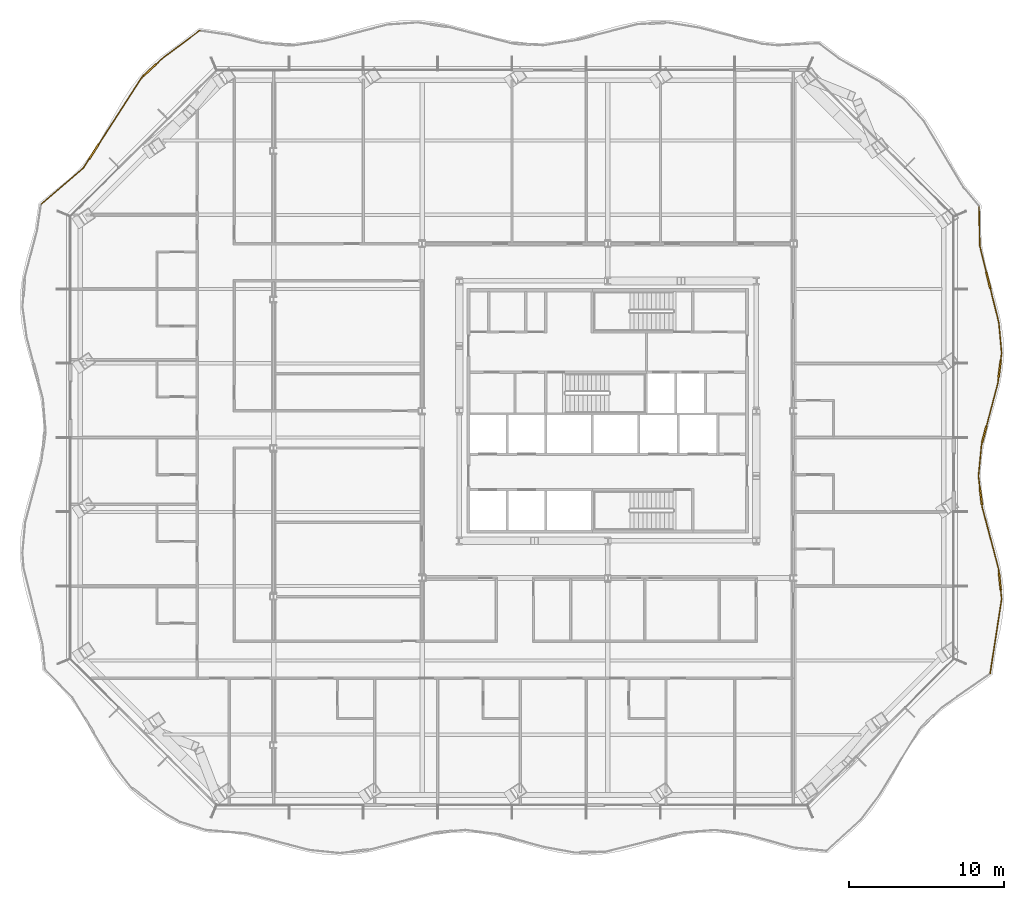
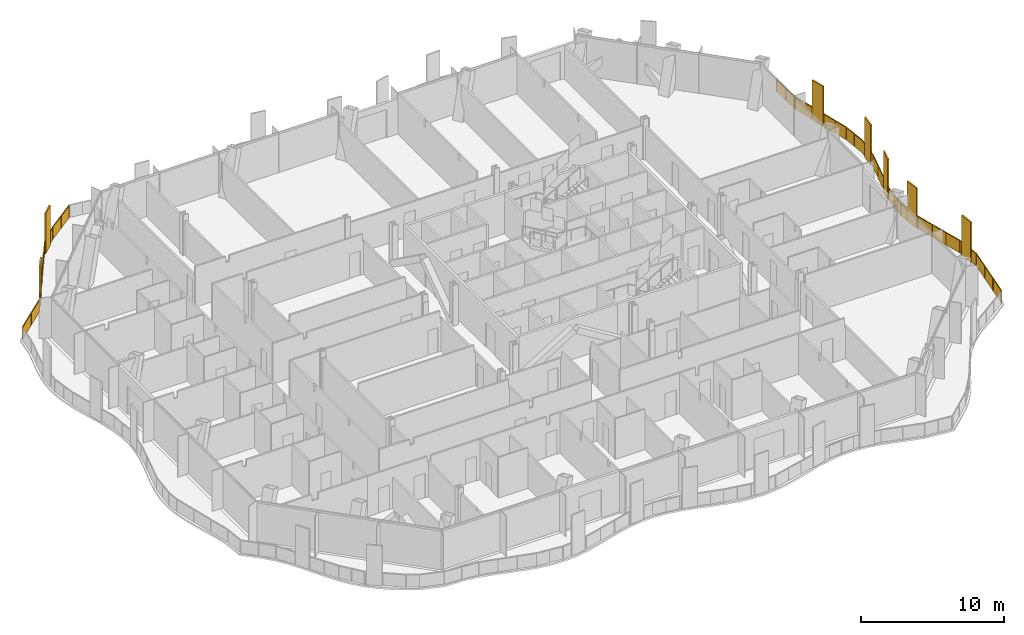
# One storey, part 15 of 17: 2 railings.
"""IFC4 building model written with IfcOpenShell, lengths in metres."""

import ifcopenshell
import ifcopenshell.guid

model = None  # the IFC model being written
_history = None  # IfcOwnerHistory: only IFC2X3 demands one
_inside = {}  # id of a spatial element -> (the spatial element, [elements in it])
_under = {}  # id of a project, library or spatial element -> (it, [spatial elements below it])
_declared = {}  # id of a project -> (the project, [libraries it declares])
_typed = {}  # id of a type object -> (the type object, [elements of that type])
_made_of = {}  # id of a material, layer set ... -> (it, [elements and type objects made of it])


def new_model(schema):
    """Start an empty IFC model of exactly this schema.

    Asked for "IFC4X3", IfcOpenShell would pick the latest addendum, in which some entities
    have other attributes; the version numbers below select the first issue.
    IFC2X3 requires an IfcOwnerHistory on every rooted entity: one is made here for all.
    """
    global model, _history
    if schema == "IFC4X3":
        model = ifcopenshell.file(schema_version=(4, 3, 0, 0))
    else:
        model = ifcopenshell.file(schema=schema)
    _inside.clear()
    _under.clear()
    _declared.clear()
    _typed.clear()
    _made_of.clear()
    _history = None
    if model.schema == "IFC2X3":
        org = make("IfcOrganization", Name="unknown")
        user = make(
            "IfcPersonAndOrganization",
            ThePerson=make("IfcPerson", FamilyName="unknown"),
            TheOrganization=org,
        )
        app = make(
            "IfcApplication",
            ApplicationDeveloper=org,
            Version="unknown",
            ApplicationFullName="unknown",
            ApplicationIdentifier="unknown",
        )
        _history = make(
            "IfcOwnerHistory",
            OwningUser=user,
            OwningApplication=app,
            ChangeAction="ADDED",
            CreationDate=0,
        )
    return model


def make(cls, **values):
    """One entity of the class cls with the attributes given. An attribute that is None is left unset."""
    return model.create_entity(
        cls, **{name: value for name, value in values.items() if value is not None}
    )


def rooted(cls, **values):
    """An entity with a GlobalId (a new one), such as an element, a storey or a relation."""
    return make(cls, GlobalId=ifcopenshell.guid.new(), OwnerHistory=_history, **values)


def si_unit(unit_type, name, prefix=None):
    """IfcSIUnit, for example si_unit("LENGTHUNIT", "METRE", prefix="MILLI")."""
    return make("IfcSIUnit", UnitType=unit_type, Prefix=prefix, Name=name)


def assignment(units):
    """IfcUnitAssignment: the units of a project."""
    return None if units is None else make("IfcUnitAssignment", Units=units)


def point(xyz):
    """IfcCartesianPoint."""
    return None if xyz is None else make("IfcCartesianPoint", Coordinates=xyz)


def direction(xyz):
    """IfcDirection."""
    return None if xyz is None else make("IfcDirection", DirectionRatios=xyz)


def frame(location, z_axis=None, x_axis=None):
    """IfcAxis2Placement3D, a coordinate frame: its origin and axes. An axis left out is left unset."""
    return make(
        "IfcAxis2Placement3D",
        Location=point(location),
        Axis=direction(z_axis),
        RefDirection=direction(x_axis),
    )


def frame_2d(location, x_axis=None):
    """IfcAxis2Placement2D, a coordinate frame in the plane: its origin and x axis."""
    return make(
        "IfcAxis2Placement2D", Location=point(location), RefDirection=direction(x_axis)
    )


def origin():
    """The frame at (0, 0, 0) with its axes left unset."""
    return frame((0.0, 0.0, 0.0))


def origin_2d():
    """The frame at (0, 0) in the plane with its x axis left unset."""
    return frame_2d((0.0, 0.0))


def place(relative_to, where):
    """IfcLocalPlacement: puts the frame where relative to a parent placement (None: the world)."""
    return make(
        "IfcLocalPlacement", PlacementRelTo=relative_to, RelativePlacement=where
    )


def context(
    kind, dimensions, precision=None, world=None, true_north=None, identifier=None
):
    """IfcGeometricRepresentationContext, for example the 3D "Model" context."""
    return make(
        "IfcGeometricRepresentationContext",
        ContextIdentifier=identifier,
        ContextType=kind,
        CoordinateSpaceDimension=dimensions,
        Precision=precision,
        WorldCoordinateSystem=world,
        TrueNorth=true_north,
    )


def subcontext(parent, identifier, kind, view, scale=None):
    """IfcGeometricRepresentationSubContext, for example "Body" below "Model"."""
    return make(
        "IfcGeometricRepresentationSubContext",
        ContextIdentifier=identifier,
        ContextType=kind,
        ParentContext=parent,
        TargetScale=scale,
        TargetView=view,
    )


def project(units=None, contexts=None):
    """IfcProject with its units and contexts."""
    return rooted(
        "IfcProject",
        Name="project",
        RepresentationContexts=contexts,
        UnitsInContext=assignment(units),
    )


def spatial(cls, under=None, at=None, **own):
    """A site, building, storey or space (cls), placed at a placement, below another one or the project."""
    s = rooted(cls, ObjectPlacement=at, **own)
    if under is not None:
        _under.setdefault(under.id(), (under, []))[1].append(s)
    return s


def polyline(points):
    """IfcPolyline through the points."""
    return make("IfcPolyline", Points=[point(p) for p in points])


def profile(cls, at=None, kind="AREA", **sizes):
    """A parametric profile (cls). Its sizes go by their IFC names, for example OverallWidth=200.0."""
    return make(cls, ProfileType=kind, Position=at, **sizes)


def rectangle(**sizes):
    """IfcRectangleProfileDef."""
    return profile("IfcRectangleProfileDef", **sizes)


def outline(outer, holes=None, kind="AREA"):
    """IfcArbitraryClosedProfileDef: a profile drawn as a closed curve; with holes, ...WithVoids."""
    if holes is None:
        return make("IfcArbitraryClosedProfileDef", ProfileType=kind, OuterCurve=outer)
    return make(
        "IfcArbitraryProfileDefWithVoids",
        ProfileType=kind,
        OuterCurve=outer,
        InnerCurves=holes,
    )


def extrude(swept, where, along, depth):
    """IfcExtrudedAreaSolid: the profile swept, set in the frame where, extruded along a direction by depth."""
    return make(
        "IfcExtrudedAreaSolid",
        SweptArea=swept,
        Position=where,
        ExtrudedDirection=direction(along),
        Depth=depth,
    )


def shape(context_of_items, identifier, shape_type, items):
    """IfcShapeRepresentation: the items that make up one representation, for example the "Body"."""
    return make(
        "IfcShapeRepresentation",
        ContextOfItems=context_of_items,
        RepresentationIdentifier=identifier,
        RepresentationType=shape_type,
        Items=items,
    )


def material(Name=None, Category=None):
    """IfcMaterial."""
    return make("IfcMaterial", Name=Name, Category=Category)


def made_of(thing, what):
    """Note that an element or type object is made of a material, layer set ...; save() writes the relation."""
    if what is not None:
        _made_of.setdefault(what.id(), (what, []))[1].append(thing)
    return thing


def type_object(cls, material=None, **own):
    """A type object (cls), such as IfcWallType, which elements share."""
    return made_of(rooted(cls, **own), material)


def element(
    cls,
    number,
    at=None,
    inside=None,
    cuts=None,
    type_object=None,
    material=None,
    context=None,
    identifier="Body",
    shape_type=None,
    held_by="IfcProductDefinitionShape",
    body=None,
    shapes=None,
    **own,
):
    """One element of the class cls, such as IfcWall. Its Tag is "e" and its number.

    at: its placement. inside: the storey or other place that contains it. cuts: it is an
    opening in that element (IfcRelVoidsElement). A single representation is given by context,
    identifier, shape_type and body (its items); several are given by shapes. held_by: the class
    of the entity that holds the representations. save() writes the other relations.
    """
    e = rooted(cls, Tag="e%d" % number, ObjectPlacement=at, **own)
    if body is not None:
        shapes = [shape(context, identifier, shape_type, body)]
    if shapes is not None:
        e.Representation = make(held_by, Representations=shapes)
    if inside is not None:
        _inside.setdefault(inside.id(), (inside, []))[1].append(e)
    if cuts is not None:
        rooted(
            "IfcRelVoidsElement", RelatingBuildingElement=cuts, RelatedOpeningElement=e
        )
    if type_object is not None:
        _typed.setdefault(type_object.id(), (type_object, []))[1].append(e)
    return made_of(e, material)


def aggregate(whole, parts):
    """IfcRelAggregates: a whole, such as a stair, and the parts it consists of."""
    return rooted("IfcRelAggregates", RelatingObject=whole, RelatedObjects=parts)


def save(model, path):
    """Write the relations noted so far, then the file.

    IfcRelAggregates (storeys below a building ...), IfcRelContainedInSpatialStructure (elements
    in a storey), IfcRelDefinesByType, IfcRelAssociatesMaterial and IfcRelDeclares: one each for
    every whole, place, type object, material and project.
    """
    for whole, parts in _under.values():
        aggregate(whole, parts)
    for where, things in _inside.values():
        rooted(
            "IfcRelContainedInSpatialStructure",
            RelatedElements=things,
            RelatingStructure=where,
        )
    for kind, things in _typed.values():
        rooted("IfcRelDefinesByType", RelatedObjects=things, RelatingType=kind)
    for what, things in _made_of.values():
        rooted("IfcRelAssociatesMaterial", RelatedObjects=things, RelatingMaterial=what)
    for by, libraries in _declared.values():
        rooted("IfcRelDeclares", RelatingContext=by, RelatedDefinitions=libraries)
    model.write(path)


model = new_model("IFC4")

# Units and contexts
model_context = context("Model", 3, precision=1e-05, world=origin(), true_north=direction((0.0, 1.0)))
body_context = subcontext(model_context, "Body", "Model", "MODEL_VIEW")
ifc_project = project(units=[si_unit("LENGTHUNIT", "METRE"), si_unit("AREAUNIT", "SQUARE_METRE"), si_unit("VOLUMEUNIT", "CUBIC_METRE"), si_unit("PLANEANGLEUNIT", "RADIAN"), si_unit("MASSUNIT", "GRAM", prefix="KILO")], contexts=[model_context])

# Site, building, storey
site_placement = place(None, origin())
site = spatial("IfcSite", under=ifc_project, at=site_placement, CompositionType="ELEMENT")
building_placement = place(site_placement, origin())
building = spatial("IfcBuilding", under=site, at=building_placement, Name="Cairn Pilgrim Tower", CompositionType="ELEMENT")
storey_placement = place(building_placement, frame((0.0, 0.0, 94.199951171875)))
storey = spatial("IfcBuildingStorey", under=building, at=storey_placement, Name="L22", CompositionType="ELEMENT", Elevation=94.199951171875)

# Railings
ifc_material = material(Name="Bronze anodised aluminium rail, posts and fin screens with laminated glass infill", Category="aluminium")
railing_type = type_object("IfcRailingType", Name="BALCONY GUARD WITH FIN SCREENS", PredefinedType="GUARDRAIL", material=ifc_material)
railing_1_placement = place(storey_placement, frame((31.9130859375, -14.570556640625, 0.0)))
element("IfcRailing", 1, at=railing_1_placement, inside=storey, type_object=railing_type, Name="Balcony guard BGF-2 with fin screens", PredefinedType="GUARDRAIL", context=body_context, shape_type="SweptSolid", body=[
    extrude(rectangle(XDim=0.050048828125, YDim=0.050048828125, at=origin_2d()), frame((0.0, 0.0, 1.0751953125), z_axis=(0.152557556539, 0.988294587632, 0.0), x_axis=(-0.988294587632, 0.152557556539, 0.0)), (0.0, 0.0, 1.0), 4.876220703125),
    extrude(rectangle(XDim=1.10009765625, YDim=0.110107421875, at=origin_2d()), frame((0.626220703125, 5.952392578125, 0.0), z_axis=(0.0, 0.0, 1.0), x_axis=(-0.103216972569, 0.994658864422, 0.0)), (0.0, 0.0, 1.0), 3.39990234375),
    extrude(rectangle(XDim=0.050048828125, YDim=0.050048828125, at=origin_2d()), frame((0.743896484375, 4.819091796875, 1.0751953125), z_axis=(-0.103216972569, 0.994658864422, 0.0), x_axis=(-0.994658864422, -0.103216972569, 0.0)), (0.0, 0.0, 1.0), 0.58935546875),
    extrude(rectangle(XDim=0.050048828125, YDim=0.050048828125, at=origin_2d()), frame((0.569580078125, 6.49951171875, 1.0751953125), z_axis=(-0.103216972569, 0.994658864422, 0.0), x_axis=(-0.994658864422, -0.103216972569, 0.0)), (0.0, 0.0, 1.0), 0.2763671875),
    extrude(rectangle(XDim=0.050048828125, YDim=0.050048828125, at=origin_2d()), frame((0.541015625, 6.774169921875, 1.0751953125), z_axis=(-0.256560442511, 0.96652818859, 0.0), x_axis=(-0.96652818859, -0.256560442511, 0.0)), (0.0, 0.0, 1.0), 4.10888671875),
    extrude(rectangle(XDim=1.10009765625, YDim=0.110107421875, at=origin_2d()), frame((-0.5966796875, 11.440673828125, 0.0), z_axis=(0.0, 0.0, 1.0), x_axis=(-0.11923070247, 0.992866576932, 0.0)), (0.0, 0.0, 1.0), 3.39990234375),
    extrude(rectangle(XDim=0.050048828125, YDim=0.050048828125, at=origin_2d()), frame((-0.51318359375, 10.74560546875, 1.0751953125), z_axis=(-0.11923070247, 0.992866576932, 0.0), x_axis=(-0.992866576932, -0.11923070247, 0.0)), (0.0, 0.0, 1.0), 0.150146484375),
    extrude(rectangle(XDim=0.050048828125, YDim=0.050048828125, at=origin_2d()), frame((-0.662353515625, 11.98681640625, 1.0751953125), z_axis=(-0.11923070247, 0.992866576932, 0.0), x_axis=(-0.992866576932, -0.11923070247, 0.0)), (0.0, 0.0, 1.0), 0.777099609375),
    extrude(rectangle(XDim=0.050048828125, YDim=0.050048828125, at=origin_2d()), frame((-0.7548828125, 12.75830078125, 1.0751953125), z_axis=(0.097449623213, 0.995240458852, 0.0), x_axis=(-0.995240458852, 0.097449623213, 0.0)), (0.0, 0.0, 1.0), 2.024169921875),
    extrude(rectangle(XDim=1.10009765625, YDim=0.110107421875, at=origin_2d()), frame((-0.378173828125, 15.44970703125, 0.0), z_axis=(0.0, 0.0, 1.0), x_axis=(0.256328281873, 0.966589784713, 0.0)), (0.0, 0.0, 1.0), 3.39990234375),
    extrude(rectangle(XDim=0.050048828125, YDim=0.050048828125, at=origin_2d()), frame((-0.5576171875, 14.77294921875, 1.0751953125), z_axis=(0.256328281873, 0.966589784713, 0.0), x_axis=(-0.966589784713, 0.256328281873, 0.0)), (0.0, 0.0, 1.0), 0.150146484375),
    extrude(rectangle(XDim=0.050048828125, YDim=0.050048828125, at=origin_2d()), frame((-0.237060546875, 15.9814453125, 1.0751953125), z_axis=(0.256328281873, 0.966589784713, 0.0), x_axis=(-0.966589784713, 0.256328281873, 0.0)), (0.0, 0.0, 1.0), 2.861572265625),
    extrude(rectangle(XDim=1.10009765625, YDim=0.110107421875, at=origin_2d()), frame((0.6123046875, 19.669677734375, 0.0), z_axis=(0.0, 0.0, 1.0), x_axis=(0.124825669723, 0.992178689641, 0.0)), (0.0, 0.0, 1.0), 3.39990234375),
    extrude(rectangle(XDim=0.050048828125, YDim=0.050048828125, at=origin_2d()), frame((0.496337890625, 18.747314453125, 1.0751953125), z_axis=(0.124825669723, 0.992178689641, 0.0), x_axis=(-0.992178689641, 0.124825669723, 0.0)), (0.0, 0.0, 1.0), 0.379638671875),
    extrude(rectangle(XDim=0.050048828125, YDim=0.050048828125, at=origin_2d()), frame((0.68115234375, 20.21533203125, 1.0751953125), z_axis=(0.124825669723, 0.992178689641, 0.0), x_axis=(-0.992178689641, 0.124825669723, 0.0)), (0.0, 0.0, 1.0), 0.49560546875),
    extrude(rectangle(XDim=0.050048828125, YDim=0.050048828125, at=origin_2d()), frame((0.742919921875, 20.707275390625, 1.0751953125), z_axis=(-0.091721907603, 0.995784661293, 0.0), x_axis=(-0.995784661293, -0.091721907603, 0.0)), (0.0, 0.0, 1.0), 1.967041015625),
    extrude(rectangle(XDim=1.10009765625, YDim=0.110107421875, at=origin_2d()), frame((-0.11572265625, 25.398681640625, 0.0), z_axis=(0.0, 0.0, 1.0), x_axis=(-0.24090899851, 0.970547708481, 0.0)), (0.0, 0.0, 1.0), 3.39990234375),
    extrude(rectangle(XDim=0.050048828125, YDim=0.050048828125, at=origin_2d()), frame((0.5625, 22.666015625, 1.0751953125), z_axis=(-0.24090899851, 0.970547708481, 0.0), x_axis=(-0.970547708481, -0.24090899851, 0.0)), (0.0, 0.0, 1.0), 2.265625),
    extrude(rectangle(XDim=0.050048828125, YDim=0.050048828125, at=origin_2d()), frame((-0.248291015625, 25.932373046875, 1.0751953125), z_axis=(-0.24090899851, 0.970547708481, 0.0), x_axis=(-0.970547708481, -0.24090899851, 0.0)), (0.0, 0.0, 1.0), 1.75634765625),
    extrude(rectangle(XDim=0.050048828125, YDim=0.050048828125, at=origin_2d()), frame((-0.67138671875, 27.636962890625, 1.0751953125), z_axis=(-0.018461663541, 0.999829568966, 0.0), x_axis=(-0.999829568966, -0.018461663541, 0.0)), (0.0, 0.0, 1.0), 2.52587890625),
    extrude(rectangle(XDim=0.050048828125, YDim=0.050048828125, at=origin_2d()), origin(), (0.0, 0.0, 1.0), 1.050048828125),
    extrude(rectangle(XDim=0.050048828125, YDim=0.050048828125, at=origin_2d()), frame((0.248046875, 1.6064453125, 0.0)), (0.0, 0.0, 1.0), 1.050048828125),
    extrude(rectangle(XDim=0.050048828125, YDim=0.050048828125, at=origin_2d()), frame((0.495849609375, 3.212646484375, 0.0)), (0.0, 0.0, 1.0), 1.050048828125),
    extrude(rectangle(XDim=0.050048828125, YDim=0.050048828125, at=origin_2d()), frame((0.743896484375, 4.819091796875, 0.0)), (0.0, 0.0, 1.0), 1.050048828125),
    extrude(rectangle(XDim=0.050048828125, YDim=0.050048828125, at=origin_2d()), frame((0.685546875, 5.38037109375, 0.0)), (0.0, 0.0, 1.0), 1.050048828125),
    extrude(rectangle(XDim=0.050048828125, YDim=0.050048828125, at=origin_2d()), frame((0.56689453125, 6.524169921875, 0.0)), (0.0, 0.0, 1.0), 1.050048828125),
    extrude(rectangle(XDim=0.050048828125, YDim=0.050048828125, at=origin_2d()), frame((0.541015625, 6.774169921875, 0.0)), (0.0, 0.0, 1.0), 1.050048828125),
    extrude(rectangle(XDim=0.050048828125, YDim=0.050048828125, at=origin_2d()), frame((0.189697265625, 8.097900390625, 0.0)), (0.0, 0.0, 1.0), 1.050048828125),
    extrude(rectangle(XDim=0.050048828125, YDim=0.050048828125, at=origin_2d()), frame((-0.161865234375, 9.421875, 0.0)), (0.0, 0.0, 1.0), 1.050048828125),
    extrude(rectangle(XDim=0.050048828125, YDim=0.050048828125, at=origin_2d()), frame((-0.51318359375, 10.74560546875, 0.0)), (0.0, 0.0, 1.0), 1.050048828125),
    extrude(rectangle(XDim=0.050048828125, YDim=0.050048828125, at=origin_2d()), frame((-0.528076171875, 10.869873046875, 0.0)), (0.0, 0.0, 1.0), 1.050048828125),
    extrude(rectangle(XDim=0.050048828125, YDim=0.050048828125, at=origin_2d()), frame((-0.665283203125, 12.01171875, 0.0)), (0.0, 0.0, 1.0), 1.050048828125),
    extrude(rectangle(XDim=0.050048828125, YDim=0.050048828125, at=origin_2d()), frame((-0.7548828125, 12.75830078125, 0.0)), (0.0, 0.0, 1.0), 1.050048828125),
    extrude(rectangle(XDim=0.050048828125, YDim=0.050048828125, at=origin_2d()), frame((-0.65625, 13.765625, 0.0)), (0.0, 0.0, 1.0), 1.050048828125),
    extrude(rectangle(XDim=0.050048828125, YDim=0.050048828125, at=origin_2d()), frame((-0.5576171875, 14.77294921875, 0.0)), (0.0, 0.0, 1.0), 1.050048828125),
    extrude(rectangle(XDim=0.050048828125, YDim=0.050048828125, at=origin_2d()), frame((-0.525634765625, 14.893798828125, 0.0)), (0.0, 0.0, 1.0), 1.050048828125),
    extrude(rectangle(XDim=0.050048828125, YDim=0.050048828125, at=origin_2d()), frame((-0.230712890625, 16.005615234375, 0.0)), (0.0, 0.0, 1.0), 1.050048828125),
    extrude(rectangle(XDim=0.050048828125, YDim=0.050048828125, at=origin_2d()), frame((0.1328125, 17.37646484375, 0.0)), (0.0, 0.0, 1.0), 1.050048828125),
    extrude(rectangle(XDim=0.050048828125, YDim=0.050048828125, at=origin_2d()), frame((0.496337890625, 18.747314453125, 0.0)), (0.0, 0.0, 1.0), 1.050048828125),
    extrude(rectangle(XDim=0.050048828125, YDim=0.050048828125, at=origin_2d()), frame((0.54052734375, 19.09912109375, 0.0)), (0.0, 0.0, 1.0), 1.050048828125),
    extrude(rectangle(XDim=0.050048828125, YDim=0.050048828125, at=origin_2d()), frame((0.68408203125, 20.240234375, 0.0)), (0.0, 0.0, 1.0), 1.050048828125),
    extrude(rectangle(XDim=0.050048828125, YDim=0.050048828125, at=origin_2d()), frame((0.742919921875, 20.707275390625, 0.0)), (0.0, 0.0, 1.0), 1.050048828125),
    extrude(rectangle(XDim=0.050048828125, YDim=0.050048828125, at=origin_2d()), frame((0.65283203125, 21.6865234375, 0.0)), (0.0, 0.0, 1.0), 1.050048828125),
    extrude(rectangle(XDim=0.050048828125, YDim=0.050048828125, at=origin_2d()), frame((0.5625, 22.666015625, 0.0)), (0.0, 0.0, 1.0), 1.050048828125),
    extrude(rectangle(XDim=0.050048828125, YDim=0.050048828125, at=origin_2d()), frame((0.292724609375, 23.753173828125, 0.0)), (0.0, 0.0, 1.0), 1.050048828125),
    extrude(rectangle(XDim=0.050048828125, YDim=0.050048828125, at=origin_2d()), frame((0.022705078125, 24.840576171875, 0.0)), (0.0, 0.0, 1.0), 1.050048828125),
    extrude(rectangle(XDim=0.050048828125, YDim=0.050048828125, at=origin_2d()), frame((-0.25439453125, 25.956787109375, 0.0)), (0.0, 0.0, 1.0), 1.050048828125),
    extrude(rectangle(XDim=0.050048828125, YDim=0.050048828125, at=origin_2d()), frame((-0.67138671875, 27.636962890625, 0.0)), (0.0, 0.0, 1.0), 1.050048828125),
    extrude(rectangle(XDim=0.050048828125, YDim=0.050048828125, at=origin_2d()), frame((-0.69482421875, 28.899658203125, 0.0)), (0.0, 0.0, 1.0), 1.050048828125),
    extrude(rectangle(XDim=0.050048828125, YDim=0.050048828125, at=origin_2d()), frame((-0.718017578125, 30.162353515625, 0.0)), (0.0, 0.0, 1.0), 1.050048828125),
    extrude(outline(polyline([(0.02490234375, 0.0), (1.600341796875, 0.0), (1.600341796875, 1.050048828125), (0.02490234375, 1.050048828125), (0.02490234375, 0.0)])), frame((-0.005859375, 0.0009765625, 0.0), z_axis=(0.988294587632, -0.152557556539, 0.0), x_axis=(0.152557556539, 0.988294587632, 0.0)), (0.0, 0.0, 1.0), 0.011962890625),
    extrude(outline(polyline([(0.02490234375, 0.0), (1.600341796875, 0.0), (1.600341796875, 1.050048828125), (0.02490234375, 1.050048828125), (0.02490234375, 0.0)])), frame((0.241943359375, 1.607177734375, 0.0), z_axis=(0.988294587632, -0.152557556539, 0.0), x_axis=(0.152557556539, 0.988294587632, 0.0)), (0.0, 0.0, 1.0), 0.011962890625),
    extrude(outline(polyline([(0.02490234375, 0.0), (1.600341796875, 0.0), (1.600341796875, 1.050048828125), (0.02490234375, 1.050048828125), (0.02490234375, 0.0)])), frame((0.489990234375, 3.213623046875, 0.0), z_axis=(0.988294587632, -0.152557556539, 0.0), x_axis=(0.152557556539, 0.988294587632, 0.0)), (0.0, 0.0, 1.0), 0.011962890625),
    extrude(outline(polyline([(0.02490234375, 0.0), (0.539306640625, 0.0), (0.539306640625, 1.050048828125), (0.02490234375, 1.050048828125), (0.02490234375, 0.0)])), frame((0.738037109375, 4.818359375, 0.0), z_axis=(0.994658864422, 0.103216972569, 0.0), x_axis=(-0.103216972569, 0.994658864422, 0.0)), (0.0, 0.0, 1.0), 0.011962890625),
    extrude(outline(polyline([(0.02490234375, 0.0), (0.226318359375, 0.0), (0.226318359375, 1.050048828125), (0.02490234375, 1.050048828125), (0.02490234375, 0.0)])), frame((0.56103515625, 6.523681640625, 0.0), z_axis=(0.994658864422, 0.103216972569, 0.0), x_axis=(-0.103216972569, 0.994658864422, 0.0)), (0.0, 0.0, 1.0), 0.011962890625),
    extrude(outline(polyline([(0.02490234375, 0.0), (1.3447265625, 0.0), (1.3447265625, 1.050048828125), (0.02490234375, 1.050048828125), (0.02490234375, 0.0)])), frame((0.53515625, 6.772705078125, 0.0), z_axis=(0.96652818859, 0.256560442511, 0.0), x_axis=(-0.256560442511, 0.96652818859, 0.0)), (0.0, 0.0, 1.0), 0.011962890625),
    extrude(outline(polyline([(0.02490234375, 0.0), (1.3447265625, 0.0), (1.3447265625, 1.050048828125), (0.02490234375, 1.050048828125), (0.02490234375, 0.0)])), frame((0.183837890625, 8.096435546875, 0.0), z_axis=(0.96652818859, 0.256560442511, 0.0), x_axis=(-0.256560442511, 0.96652818859, 0.0)), (0.0, 0.0, 1.0), 0.011962890625),
    extrude(outline(polyline([(0.02490234375, 0.0), (1.3447265625, 0.0), (1.3447265625, 1.050048828125), (0.02490234375, 1.050048828125), (0.02490234375, 0.0)])), frame((-0.16748046875, 9.420166015625, 0.0), z_axis=(0.96652818859, 0.256560442511, 0.0), x_axis=(-0.256560442511, 0.96652818859, 0.0)), (0.0, 0.0, 1.0), 0.011962890625),
    extrude(outline(polyline([(0.02490234375, 0.0), (0.10009765625, 0.0), (0.10009765625, 1.050048828125), (0.02490234375, 1.050048828125), (0.02490234375, 0.0)])), frame((-0.51904296875, 10.744873046875, 0.0), z_axis=(0.992866576932, 0.11923070247, 0.0), x_axis=(-0.11923070247, 0.992866576932, 0.0)), (0.0, 0.0, 1.0), 0.011962890625),
    extrude(outline(polyline([(0.02490234375, 0.0), (0.72705078125, 0.0), (0.72705078125, 1.050048828125), (0.02490234375, 1.050048828125), (0.02490234375, 0.0)])), frame((-0.671142578125, 12.010986328125, 0.0), z_axis=(0.992866576932, 0.11923070247, 0.0), x_axis=(-0.11923070247, 0.992866576932, 0.0)), (0.0, 0.0, 1.0), 0.011962890625),
    extrude(outline(polyline([(0.02490234375, 0.0), (0.987060546875, 0.0), (0.987060546875, 1.050048828125), (0.02490234375, 1.050048828125), (0.02490234375, 0.0)])), frame((-0.7607421875, 12.7587890625, 0.0), z_axis=(0.995240458852, -0.097449623213, 0.0), x_axis=(0.097449623213, 0.995240458852, 0.0)), (0.0, 0.0, 1.0), 0.011962890625),
    extrude(outline(polyline([(0.02490234375, 0.0), (0.987060546875, 0.0), (0.987060546875, 1.050048828125), (0.02490234375, 1.050048828125), (0.02490234375, 0.0)])), frame((-0.662109375, 13.76611328125, 0.0), z_axis=(0.995240458852, -0.097449623213, 0.0), x_axis=(0.097449623213, 0.995240458852, 0.0)), (0.0, 0.0, 1.0), 0.011962890625),
    extrude(outline(polyline([(0.02490234375, 0.0), (0.10009765625, 0.0), (0.10009765625, 1.050048828125), (0.02490234375, 1.050048828125), (0.02490234375, 0.0)])), frame((-0.5634765625, 14.7744140625, 0.0), z_axis=(0.966589784713, -0.256328281873, 0.0), x_axis=(0.256328281873, 0.966589784713, 0.0)), (0.0, 0.0, 1.0), 0.011962890625),
    extrude(outline(polyline([(0.02490234375, 0.0), (1.393310546875, 0.0), (1.393310546875, 1.050048828125), (0.02490234375, 1.050048828125), (0.02490234375, 0.0)])), frame((-0.236572265625, 16.007080078125, 0.0), z_axis=(0.966589784713, -0.256328281873, 0.0), x_axis=(0.256328281873, 0.966589784713, 0.0)), (0.0, 0.0, 1.0), 0.011962890625),
    extrude(outline(polyline([(0.02490234375, 0.0), (1.393310546875, 0.0), (1.393310546875, 1.050048828125), (0.02490234375, 1.050048828125), (0.02490234375, 0.0)])), frame((0.126953125, 17.3779296875, 0.0), z_axis=(0.966589784713, -0.256328281873, 0.0), x_axis=(0.256328281873, 0.966589784713, 0.0)), (0.0, 0.0, 1.0), 0.011962890625),
    extrude(outline(polyline([(0.02490234375, 0.0), (0.32958984375, 0.0), (0.32958984375, 1.050048828125), (0.02490234375, 1.050048828125), (0.02490234375, 0.0)])), frame((0.490478515625, 18.748046875, 0.0), z_axis=(0.992178689641, -0.124825669723, 0.0), x_axis=(0.124825669723, 0.992178689641, 0.0)), (0.0, 0.0, 1.0), 0.011962890625),
    extrude(outline(polyline([(0.02490234375, 0.0), (0.445556640625, 0.0), (0.445556640625, 1.050048828125), (0.02490234375, 1.050048828125), (0.02490234375, 0.0)])), frame((0.67822265625, 20.240966796875, 0.0), z_axis=(0.992178689641, -0.124825669723, 0.0), x_axis=(0.124825669723, 0.992178689641, 0.0)), (0.0, 0.0, 1.0), 0.011962890625),
    extrude(outline(polyline([(0.02490234375, 0.0), (0.95849609375, 0.0), (0.95849609375, 1.050048828125), (0.02490234375, 1.050048828125), (0.02490234375, 0.0)])), frame((0.737060546875, 20.706787109375, 0.0), z_axis=(0.995784661293, 0.091721907603, 0.0), x_axis=(-0.091721907603, 0.995784661293, 0.0)), (0.0, 0.0, 1.0), 0.011962890625),
    extrude(outline(polyline([(0.02490234375, 0.0), (0.95849609375, 0.0), (0.95849609375, 1.050048828125), (0.02490234375, 1.050048828125), (0.02490234375, 0.0)])), frame((0.646728515625, 21.68603515625, 0.0), z_axis=(0.995784661293, 0.091721907603, 0.0), x_axis=(-0.091721907603, 0.995784661293, 0.0)), (0.0, 0.0, 1.0), 0.011962890625),
    extrude(outline(polyline([(0.02490234375, 0.0), (1.09521484375, 0.0), (1.09521484375, 1.050048828125), (0.02490234375, 1.050048828125), (0.02490234375, 0.0)])), frame((0.556640625, 22.66455078125, 0.0), z_axis=(0.970547708481, 0.24090899851, 0.0), x_axis=(-0.24090899851, 0.970547708481, 0.0)), (0.0, 0.0, 1.0), 0.011962890625),
    extrude(outline(polyline([(0.02490234375, 0.0), (1.09521484375, 0.0), (1.09521484375, 1.050048828125), (0.02490234375, 1.050048828125), (0.02490234375, 0.0)])), frame((0.286865234375, 23.751953125, 0.0), z_axis=(0.970547708481, 0.24090899851, 0.0), x_axis=(-0.24090899851, 0.970547708481, 0.0)), (0.0, 0.0, 1.0), 0.011962890625),
    extrude(outline(polyline([(0.02490234375, 0.0), (1.706298828125, 0.0), (1.706298828125, 1.050048828125), (0.02490234375, 1.050048828125), (0.02490234375, 0.0)])), frame((-0.260009765625, 25.955322265625, 0.0), z_axis=(0.970547708481, 0.24090899851, 0.0), x_axis=(-0.24090899851, 0.970547708481, 0.0)), (0.0, 0.0, 1.0), 0.011962890625),
    extrude(outline(polyline([(0.02490234375, 0.0), (1.23779296875, 0.0), (1.23779296875, 1.050048828125), (0.02490234375, 1.050048828125), (0.02490234375, 0.0)])), frame((-0.67724609375, 27.636962890625, 0.0), z_axis=(0.999829568966, 0.018461663541, 0.0), x_axis=(-0.018461663541, 0.999829568966, 0.0)), (0.0, 0.0, 1.0), 0.011962890625),
    extrude(outline(polyline([(0.02490234375, 0.0), (1.23779296875, 0.0), (1.23779296875, 1.050048828125), (0.02490234375, 1.050048828125), (0.02490234375, 0.0)])), frame((-0.70068359375, 28.899658203125, 0.0), z_axis=(0.999829568966, 0.018461663541, 0.0), x_axis=(-0.018461663541, 0.999829568966, 0.0)), (0.0, 0.0, 1.0), 0.011962890625),
])
railing_2_placement = place(storey_placement, frame((-19.17431640625, 26.9833984375, 0.0)))
element("IfcRailing", 2, at=railing_2_placement, inside=storey, type_object=railing_type, Name="Balcony guard BGF-5 with fin screens", PredefinedType="GUARDRAIL", context=body_context, shape_type="SweptSolid", body=[
    extrude(rectangle(XDim=0.050048828125, YDim=0.050048828125, at=origin_2d()), frame((0.0, 0.0, 1.0751953125), z_axis=(-0.802318781972, -0.596895779927, 0.0), x_axis=(0.596895779927, -0.802318781972, 0.0)), (0.0, 0.0, 1.0), 2.923583984375),
    extrude(rectangle(XDim=1.10009765625, YDim=0.110107421875, at=origin_2d()), frame((-3.236083984375, -2.5703125, 0.0), z_axis=(0.0, 0.0, 1.0), x_axis=(-0.733447358288, -0.679746256055, 0.0)), (0.0, 0.0, 1.0), 3.39990234375),
    extrude(rectangle(XDim=0.050048828125, YDim=0.050048828125, at=origin_2d()), frame((-2.345703125, -1.7451171875, 1.0751953125), z_axis=(-0.733447358288, -0.679746256055, 0.0), x_axis=(0.679746256055, -0.733447358288, 0.0)), (0.0, 0.0, 1.0), 0.6640625),
    extrude(rectangle(XDim=0.050048828125, YDim=0.050048828125, at=origin_2d()), frame((-3.6396484375, -2.9443359375, 1.0751953125), z_axis=(-0.733447358288, -0.679746256055, 0.0), x_axis=(0.679746256055, -0.733447358288, 0.0)), (0.0, 0.0, 1.0), 0.14990234375),
    extrude(rectangle(XDim=1.10009765625, YDim=0.110107421875, at=origin_2d()), frame((-6.833984375, -7.817626953125, 0.0), z_axis=(0.0, 0.0, 1.0), x_axis=(-0.542891241118, -0.839803012806, 0.0)), (0.0, 0.0, 1.0), 3.39990234375),
    extrude(rectangle(XDim=0.050048828125, YDim=0.050048828125, at=origin_2d()), frame((-3.74951171875, -3.046142578125, 1.0751953125), z_axis=(-0.542891241118, -0.839803012806, 0.0), x_axis=(0.839803012806, -0.542891241118, 0.0)), (0.0, 0.0, 1.0), 5.131591796875),
    extrude(rectangle(XDim=0.050048828125, YDim=0.050048828125, at=origin_2d()), frame((-7.132568359375, -8.279541015625, 1.0751953125), z_axis=(-0.542891241118, -0.839803012806, 0.0), x_axis=(0.839803012806, -0.542891241118, 0.0)), (0.0, 0.0, 1.0), 0.714111328125),
    extrude(rectangle(XDim=0.050048828125, YDim=0.050048828125, at=origin_2d()), frame((-7.520263671875, -8.879150390625, 1.0751953125), z_axis=(-0.757892847844, -0.652379054834, 0.0), x_axis=(0.652379054834, -0.757892847844, 0.0)), (0.0, 0.0, 1.0), 3.56787109375),
    extrude(rectangle(XDim=0.050048828125, YDim=0.050048828125, at=origin_2d()), origin(), (0.0, 0.0, 1.0), 1.050048828125),
    extrude(rectangle(XDim=0.050048828125, YDim=0.050048828125, at=origin_2d()), frame((-1.1728515625, -0.87255859375, 0.0)), (0.0, 0.0, 1.0), 1.050048828125),
    extrude(rectangle(XDim=0.050048828125, YDim=0.050048828125, at=origin_2d()), frame((-2.345703125, -1.7451171875, 0.0)), (0.0, 0.0, 1.0), 1.050048828125),
    extrude(rectangle(XDim=0.050048828125, YDim=0.050048828125, at=origin_2d()), frame((-2.814453125, -2.179443359375, 0.0)), (0.0, 0.0, 1.0), 1.050048828125),
    extrude(rectangle(XDim=0.050048828125, YDim=0.050048828125, at=origin_2d()), frame((-3.657958984375, -2.961181640625, 0.0)), (0.0, 0.0, 1.0), 1.050048828125),
    extrude(rectangle(XDim=0.050048828125, YDim=0.050048828125, at=origin_2d()), frame((-3.74951171875, -3.046142578125, 0.0)), (0.0, 0.0, 1.0), 1.050048828125),
    extrude(rectangle(XDim=0.050048828125, YDim=0.050048828125, at=origin_2d()), frame((-4.673583984375, -4.4755859375, 0.0)), (0.0, 0.0, 1.0), 1.050048828125),
    extrude(rectangle(XDim=0.050048828125, YDim=0.050048828125, at=origin_2d()), frame((-5.59765625, -5.9052734375, 0.0)), (0.0, 0.0, 1.0), 1.050048828125),
    extrude(rectangle(XDim=0.050048828125, YDim=0.050048828125, at=origin_2d()), frame((-6.52197265625, -7.334716796875, 0.0)), (0.0, 0.0, 1.0), 1.050048828125),
    extrude(rectangle(XDim=0.050048828125, YDim=0.050048828125, at=origin_2d()), frame((-7.146240234375, -8.300537109375, 0.0)), (0.0, 0.0, 1.0), 1.050048828125),
    extrude(rectangle(XDim=0.050048828125, YDim=0.050048828125, at=origin_2d()), frame((-7.520263671875, -8.879150390625, 0.0)), (0.0, 0.0, 1.0), 1.050048828125),
    extrude(rectangle(XDim=0.050048828125, YDim=0.050048828125, at=origin_2d()), frame((-8.872314453125, -10.04296875, 0.0)), (0.0, 0.0, 1.0), 1.050048828125),
    extrude(rectangle(XDim=0.050048828125, YDim=0.050048828125, at=origin_2d()), frame((-10.224365234375, -11.206787109375, 0.0)), (0.0, 0.0, 1.0), 1.050048828125),
    extrude(outline(polyline([(0.02490234375, 0.0), (1.436767578125, 0.0), (1.436767578125, 1.050048828125), (0.02490234375, 1.050048828125), (0.02490234375, 0.0)])), frame((0.003662109375, -0.0048828125, 0.0), z_axis=(-0.596895779927, 0.802318781972, 0.0), x_axis=(-0.802318781972, -0.596895779927, 0.0)), (0.0, 0.0, 1.0), 0.011962890625),
    extrude(outline(polyline([(0.02490234375, 0.0), (1.436767578125, 0.0), (1.436767578125, 1.050048828125), (0.02490234375, 1.050048828125), (0.02490234375, 0.0)])), frame((-1.169189453125, -0.87744140625, 0.0), z_axis=(-0.596895779927, 0.802318781972, 0.0), x_axis=(-0.802318781972, -0.596895779927, 0.0)), (0.0, 0.0, 1.0), 0.011962890625),
    extrude(outline(polyline([(0.02490234375, 0.0), (0.614013671875, 0.0), (0.614013671875, 1.050048828125), (0.02490234375, 1.050048828125), (0.02490234375, 0.0)])), frame((-2.341552734375, -1.74951171875, 0.0), z_axis=(-0.679746256055, 0.733447358288, 0.0), x_axis=(-0.733447358288, -0.679746256055, 0.0)), (0.0, 0.0, 1.0), 0.011962890625),
    extrude(outline(polyline([(0.02490234375, 0.0), (0.099853515625, 0.0), (0.099853515625, 1.050048828125), (0.02490234375, 1.050048828125), (0.02490234375, 0.0)])), frame((-3.65380859375, -2.965576171875, 0.0), z_axis=(-0.679746256055, 0.733447358288, 0.0), x_axis=(-0.733447358288, -0.679746256055, 0.0)), (0.0, 0.0, 1.0), 0.011962890625),
    extrude(outline(polyline([(0.02490234375, 0.0), (1.67724609375, 0.0), (1.67724609375, 1.050048828125), (0.02490234375, 1.050048828125), (0.02490234375, 0.0)])), frame((-3.744384765625, -3.04931640625, 0.0), z_axis=(-0.839803012806, 0.542891241118, 0.0), x_axis=(-0.542891241118, -0.839803012806, 0.0)), (0.0, 0.0, 1.0), 0.011962890625),
    extrude(outline(polyline([(0.02490234375, 0.0), (1.67724609375, 0.0), (1.67724609375, 1.050048828125), (0.02490234375, 1.050048828125), (0.02490234375, 0.0)])), frame((-4.668701171875, -4.47900390625, 0.0), z_axis=(-0.839803012806, 0.542891241118, 0.0), x_axis=(-0.542891241118, -0.839803012806, 0.0)), (0.0, 0.0, 1.0), 0.011962890625),
    extrude(outline(polyline([(0.02490234375, 0.0), (1.67724609375, 0.0), (1.67724609375, 1.050048828125), (0.02490234375, 1.050048828125), (0.02490234375, 0.0)])), frame((-5.5927734375, -5.908447265625, 0.0), z_axis=(-0.839803012806, 0.542891241118, 0.0), x_axis=(-0.542891241118, -0.839803012806, 0.0)), (0.0, 0.0, 1.0), 0.011962890625),
    extrude(outline(polyline([(0.02490234375, 0.0), (0.6640625, 0.0), (0.6640625, 1.050048828125), (0.02490234375, 1.050048828125), (0.02490234375, 0.0)])), frame((-7.14111328125, -8.3037109375, 0.0), z_axis=(-0.839803012806, 0.542891241118, 0.0), x_axis=(-0.542891241118, -0.839803012806, 0.0)), (0.0, 0.0, 1.0), 0.011962890625),
    extrude(outline(polyline([(0.02490234375, 0.0), (1.759033203125, 0.0), (1.759033203125, 1.050048828125), (0.02490234375, 1.050048828125), (0.02490234375, 0.0)])), frame((-7.516357421875, -8.8837890625, 0.0), z_axis=(-0.652379054834, 0.757892847844, 0.0), x_axis=(-0.757892847844, -0.652379054834, 0.0)), (0.0, 0.0, 1.0), 0.011962890625),
    extrude(outline(polyline([(0.02490234375, 0.0), (1.759033203125, 0.0), (1.759033203125, 1.050048828125), (0.02490234375, 1.050048828125), (0.02490234375, 0.0)])), frame((-8.868408203125, -10.047607421875, 0.0), z_axis=(-0.652379054834, 0.757892847844, 0.0), x_axis=(-0.757892847844, -0.652379054834, 0.0)), (0.0, 0.0, 1.0), 0.011962890625),
])

save(model, "model.ifc")
